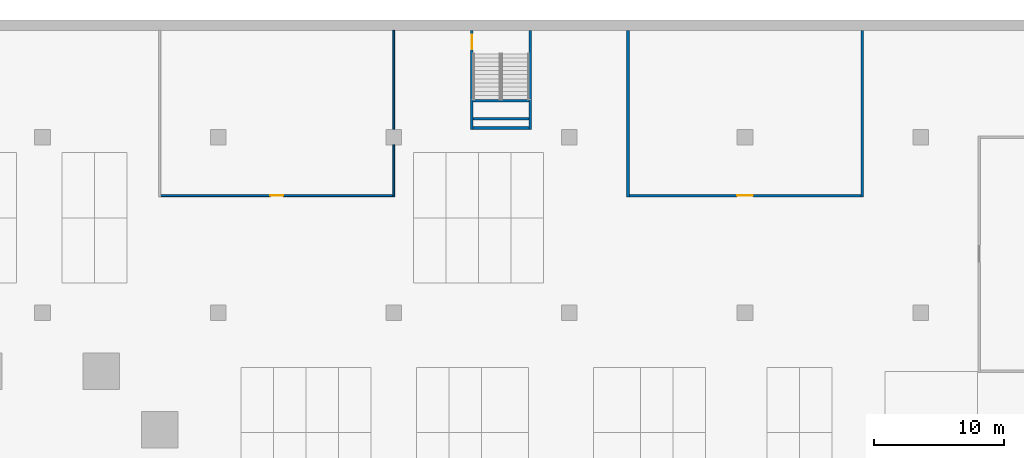
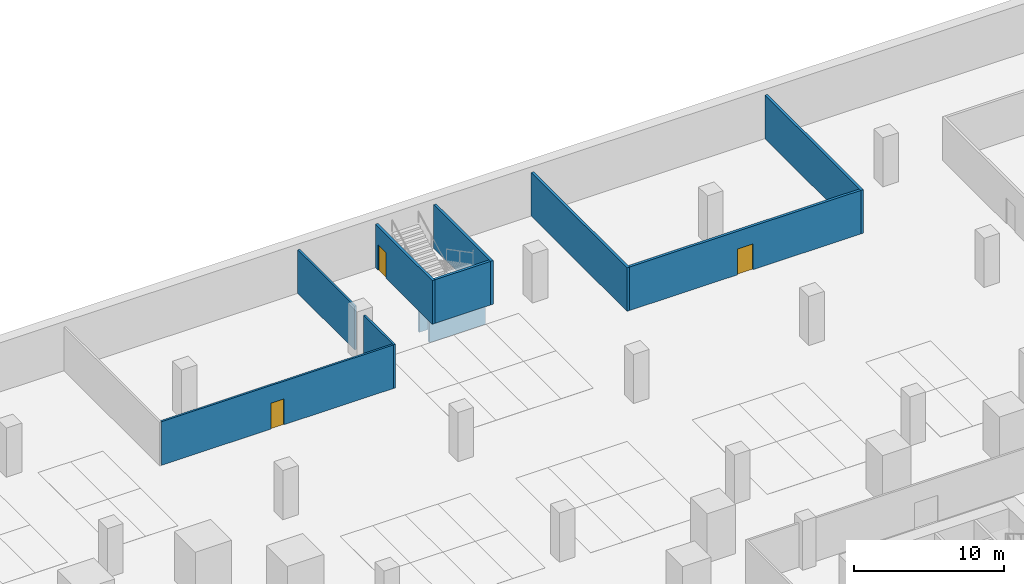
# One storey, part 10 of 31: 11 walls, 3 doors, 3 openings.
"""IFC4 building model written with IfcOpenShell, lengths in metres."""

from ifc_helpers import new_model, si_unit, direction, frame, frame_2d, origin, place, context, subcontext, project, spatial, rectangle, extrude, material, layer, layer_set, type_object, element, fill, save


model = new_model("IFC4")

# Units and contexts
model_context = context("Model", 3, precision=1e-05, world=origin(), true_north=direction((0.0, 1.0)))
body_context = subcontext(model_context, "Body", "Model", "MODEL_VIEW")
ifc_project = project(units=[si_unit("LENGTHUNIT", "METRE"), si_unit("AREAUNIT", "SQUARE_METRE"), si_unit("VOLUMEUNIT", "CUBIC_METRE"), si_unit("PLANEANGLEUNIT", "RADIAN"), si_unit("MASSUNIT", "GRAM", prefix="KILO")], contexts=[model_context])

# Site, building, storey
site_placement = place(None, origin())
site = spatial("IfcSite", under=ifc_project, at=site_placement, CompositionType="ELEMENT")
building_placement = place(site_placement, origin())
building = spatial("IfcBuilding", under=site, at=building_placement, Name="Altepetl Exchange Towers", CompositionType="ELEMENT")
storey_placement = place(building_placement, frame((0.0, 0.0, -4.0)))
storey = spatial("IfcBuildingStorey", under=building, at=storey_placement, Name="B1 Basement services", CompositionType="ELEMENT", Elevation=-4.0)

# Walls
ifc_material_1 = material(Name="Reinforced concrete C35/45", Category="concrete")
ifc_layer_1 = layer(ifc_material_1, 0.199951171875)
ifc_layer_set_1 = layer_set([ifc_layer_1], Name="Reinforced concrete C35/45")
wall_type_1 = type_object("IfcWallType", Name="Landing support wall 200", PredefinedType="SOLIDWALL", material=ifc_layer_set_1)
for number, where, z_axis, x_axis, name in (
    (1, (100.39990234375, 92.780029296875, -2.0), (0.0, 0.0, 1.0), (-1.0, 0.0, 0.0), "wall:P:B1:ES6sup0"),
    (2, (100.39990234375, 91.39990234375, -2.0), (0.0, 0.0, 1.0), (-1.0, 0.0, 0.0), "wall:P:B1:ES6sup1"),
):
    element("IfcWall", number, at=place(storey_placement, frame(where, z_axis=z_axis, x_axis=x_axis)), inside=storey, type_object=wall_type_1, Name=name, PredefinedType="SOLIDWALL", context=body_context, shape_type="SweptSolid", body=[
        extrude(rectangle(XDim=4.2998046875, YDim=0.199951171875, at=frame_2d((2.14990234375, 0.0))), origin(), (0.0, 0.0, 1.0), 3.800048828125),
    ])
ifc_material_2 = material(Name="Concrete block masonry", Category="masonry")
ifc_layer_2 = layer(ifc_material_2, 0.199951171875)
ifc_layer_set_2 = layer_set([ifc_layer_2], Name="Concrete block masonry")
wall_type_2 = type_object("IfcWallType", Name="Podium fire wall 200", PredefinedType="SOLIDWALL", material=ifc_layer_set_2)
for number, where, z_axis, x_axis, name in (
    (3, (108.0, 85.39990234375, 0.0), (0.0, 0.0, 1.0), (0.0, 1.0, 0.0), "wall:P:B1:P028"),
    (4, (126.0, 85.39990234375, 0.0), (0.0, 0.0, 1.0), (0.0, 1.0, 0.0), "wall:P:B1:P029"),
):
    element("IfcWall", number, at=place(storey_placement, frame(where, z_axis=z_axis, x_axis=x_axis)), inside=storey, type_object=wall_type_2, Name=name, PredefinedType="SOLIDWALL", context=body_context, shape_type="SweptSolid", body=[
        extrude(rectangle(XDim=12.800048828125, YDim=0.199951171875, at=frame_2d((6.39990234375, 0.0))), origin(), (0.0, 0.0, 1.0), 3.550048828125),
    ])

# Wall, opening, door
wall_1_placement = place(storey_placement, frame((108.10009765625, 85.5, 0.0)))
wall_1 = element("IfcWall", 5, at=wall_1_placement, inside=storey, type_object=wall_type_2, Name="wall:P:B1:P030", PredefinedType="SOLIDWALL", context=body_context, shape_type="SweptSolid", body=[
    extrude(rectangle(XDim=17.7998046875, YDim=0.199951171875, at=frame_2d((8.89990234375, 0.0))), origin(), (0.0, 0.0, 1.0), 3.550048828125),
])
opening_1_placement = place(wall_1_placement, frame((8.300048828125, 0.0, 0.0)))
opening_1 = element("IfcOpeningElement", 6, at=opening_1_placement, cuts=wall_1, Name="Opening B1.P010", PredefinedType="OPENING", context=body_context, shape_type="SweptSolid", body=[
    extrude(rectangle(XDim=1.199951171875, YDim=2.10009765625, at=frame_2d((0.60009765625, 1.050048828125))), frame((0.0, 0.10986328125, 0.0), z_axis=(0.0, -1.0, 0.0), x_axis=(1.0, 0.0, 0.0)), (0.0, 0.0, 1.0), 0.219970703125),
])
ifc_material_3 = material(Name="Steel fire door", Category="steel")
door_type_1 = type_object("IfcDoorType", Name="Podium fire door 1200 x 2100 double leaf", OperationType="DOUBLE_DOOR_SINGLE_SWING", PredefinedType="DOOR", material=ifc_material_3)
door_1_placement = place(opening_1_placement, origin())
door_1 = element("IfcDoor", 7, at=door_1_placement, inside=storey, type_object=door_type_1, Name="door:P:B1:010", OperationType="DOUBLE_DOOR_SINGLE_SWING", OverallHeight=2.10009765625, OverallWidth=1.199951171875, PredefinedType="DOOR", context=body_context, shape_type="SweptSolid", body=[
    extrude(rectangle(XDim=1.199951171875, YDim=2.10009765625, at=frame_2d((0.60009765625, 1.050048828125))), frame((0.0, 0.02490234375, 0.0), z_axis=(0.0, -1.0, 0.0), x_axis=(1.0, 0.0, 0.0)), (0.0, 0.0, 1.0), 0.050048828125),
])
fill(opening_1, door_1)

# Walls
ifc_material_4 = material(Name="Gypsum board on steel studs", Category="steel")
ifc_layer_3 = layer(ifc_material_4, 0.14990234375)
ifc_layer_set_3 = layer_set([ifc_layer_3], Name="Gypsum board on steel studs")
wall_type_3 = type_object("IfcWallType", Name="Podium partition 150", PredefinedType="PARTITIONING", material=ifc_layer_set_3)
wall_2_placement = place(storey_placement, frame((90.0, 85.425048828125, 0.0), z_axis=(0.0, 0.0, 1.0), x_axis=(0.0, 1.0, 0.0)))
element("IfcWall", 8, at=wall_2_placement, inside=storey, type_object=wall_type_3, Name="wall:P:B1:P016", PredefinedType="PARTITIONING", context=body_context, shape_type="SweptSolid", body=[
    extrude(rectangle(XDim=3.97998046875, YDim=0.14990234375, at=frame_2d((1.989990234375, 0.0))), origin(), (0.0, 0.0, 1.0), 3.550048828125),
])
wall_3_placement = place(storey_placement, frame((90.0, 90.594970703125, 0.0), z_axis=(0.0, 0.0, 1.0), x_axis=(0.0, 1.0, 0.0)))
element("IfcWall", 9, at=wall_3_placement, inside=storey, type_object=wall_type_3, Name="wall:P:B1:P017", PredefinedType="PARTITIONING", context=body_context, shape_type="SweptSolid", body=[
    extrude(rectangle(XDim=7.60498046875, YDim=0.14990234375, at=frame_2d((3.802490234375, 0.0))), origin(), (0.0, 0.0, 1.0), 3.550048828125),
])

# Wall, opening, door
wall_4_placement = place(storey_placement, frame((72.074951171875, 85.5, 0.0)))
wall_4 = element("IfcWall", 10, at=wall_4_placement, inside=storey, type_object=wall_type_3, Name="wall:P:B1:P018", PredefinedType="PARTITIONING", context=body_context, shape_type="SweptSolid", body=[
    extrude(rectangle(XDim=17.85009765625, YDim=0.14990234375, at=frame_2d((8.925048828125, 0.0))), origin(), (0.0, 0.0, 1.0), 3.550048828125),
])
opening_2_placement = place(wall_4_placement, frame((8.425048828125, 0.0, 0.0)))
opening_2 = element("IfcOpeningElement", 11, at=opening_2_placement, cuts=wall_4, Name="Opening B1.P006", PredefinedType="OPENING", context=body_context, shape_type="SweptSolid", body=[
    extrude(rectangle(XDim=1.0, YDim=2.10009765625, at=frame_2d((0.5, 1.050048828125))), frame((0.0, 0.0849609375, 0.0), z_axis=(0.0, -1.0, 0.0), x_axis=(1.0, 0.0, 0.0)), (0.0, 0.0, 1.0), 0.169921875),
])
ifc_material_5 = material(Name="Steel and timber fire door", Category="steel")
door_type_2 = type_object("IfcDoorType", Name="Podium fire door 1000 x 2100 single leaf", OperationType="SINGLE_SWING_LEFT", PredefinedType="DOOR", material=ifc_material_5)
door_2_placement = place(opening_2_placement, origin())
door_2 = element("IfcDoor", 12, at=door_2_placement, inside=storey, type_object=door_type_2, Name="door:P:B1:006", OperationType="SINGLE_SWING_RIGHT", OverallHeight=2.10009765625, OverallWidth=1.0, PredefinedType="DOOR", context=body_context, shape_type="SweptSolid", body=[
    extrude(rectangle(XDim=1.0, YDim=2.10009765625, at=frame_2d((0.5, 1.050048828125))), frame((0.0, 0.02490234375, 0.0), z_axis=(0.0, -1.0, 0.0), x_axis=(1.0, 0.0, 0.0)), (0.0, 0.0, 1.0), 0.050048828125),
])
fill(opening_2, door_2)

ifc_layer_4 = layer(ifc_material_1, 0.199951171875)
ifc_layer_set_4 = layer_set([ifc_layer_4], Name="Reinforced concrete C35/45")
wall_type_4 = type_object("IfcWallType", Name="Stair enclosure wall 200", PredefinedType="SOLIDWALL", material=ifc_layer_set_4)
wall_5_placement = place(storey_placement, frame((96.0, 90.60009765625, 0.0), z_axis=(0.0, 0.0, 1.0), x_axis=(0.0, 1.0, 0.0)))
wall_5 = element("IfcWall", 13, at=wall_5_placement, inside=storey, type_object=wall_type_4, Name="wall:P:B1:P073", PredefinedType="SOLIDWALL", context=body_context, shape_type="SweptSolid", body=[
    extrude(rectangle(XDim=7.599853515625, YDim=0.199951171875, at=frame_2d((3.7998046875, 0.0))), origin(), (0.0, 0.0, 1.0), 3.550048828125),
])
opening_3_placement = place(wall_5_placement, frame((6.14990234375, 0.0, 0.0)))
opening_3 = element("IfcOpeningElement", 14, at=opening_3_placement, cuts=wall_5, Name="Opening B1.P018", PredefinedType="OPENING", context=body_context, shape_type="SweptSolid", body=[
    extrude(rectangle(XDim=1.10009765625, YDim=2.10009765625, at=frame_2d((0.550048828125, 1.050048828125))), frame((0.0, 0.10986328125, 0.0), z_axis=(0.0, -1.0, 0.0), x_axis=(1.0, 0.0, 0.0)), (0.0, 0.0, 1.0), 0.219970703125),
])
door_type_3 = type_object("IfcDoorType", Name="Podium fire door 1100 x 2100 single leaf", OperationType="SINGLE_SWING_LEFT", PredefinedType="DOOR", material=ifc_material_3)
door_3_placement = place(opening_3_placement, frame((1.10009765625, 0.0, 0.0), x_axis=(-1.0, 0.0, 0.0)))
door_3 = element("IfcDoor", 15, at=door_3_placement, inside=storey, type_object=door_type_3, Name="door:P:B1:018", OperationType="SINGLE_SWING_LEFT", OverallHeight=2.10009765625, OverallWidth=1.10009765625, PredefinedType="DOOR", context=body_context, shape_type="SweptSolid", body=[
    extrude(rectangle(XDim=1.10009765625, YDim=2.10009765625, at=frame_2d((0.550048828125, 1.050048828125))), frame((0.0, 0.02490234375, 0.0), z_axis=(0.0, -1.0, 0.0), x_axis=(1.0, 0.0, 0.0)), (0.0, 0.0, 1.0), 0.050048828125),
])
fill(opening_3, door_3)

# Walls
wall_6_placement = place(storey_placement, frame((100.5, 90.60009765625, 0.0), z_axis=(0.0, 0.0, 1.0), x_axis=(0.0, 1.0, 0.0)))
element("IfcWall", 16, at=wall_6_placement, inside=storey, type_object=wall_type_4, Name="wall:P:B1:P074", PredefinedType="SOLIDWALL", context=body_context, shape_type="SweptSolid", body=[
    extrude(rectangle(XDim=7.599853515625, YDim=0.199951171875, at=frame_2d((3.7998046875, 0.0))), origin(), (0.0, 0.0, 1.0), 3.550048828125),
])
wall_7_placement = place(storey_placement, frame((96.10009765625, 90.699951171875, 0.0)))
element("IfcWall", 17, at=wall_7_placement, inside=storey, type_object=wall_type_4, Name="wall:P:B1:P075", PredefinedType="SOLIDWALL", context=body_context, shape_type="SweptSolid", body=[
    extrude(rectangle(XDim=4.2998046875, YDim=0.199951171875, at=frame_2d((2.14990234375, 0.0))), origin(), (0.0, 0.0, 1.0), 3.550048828125),
])

save(model, "model.ifc")
